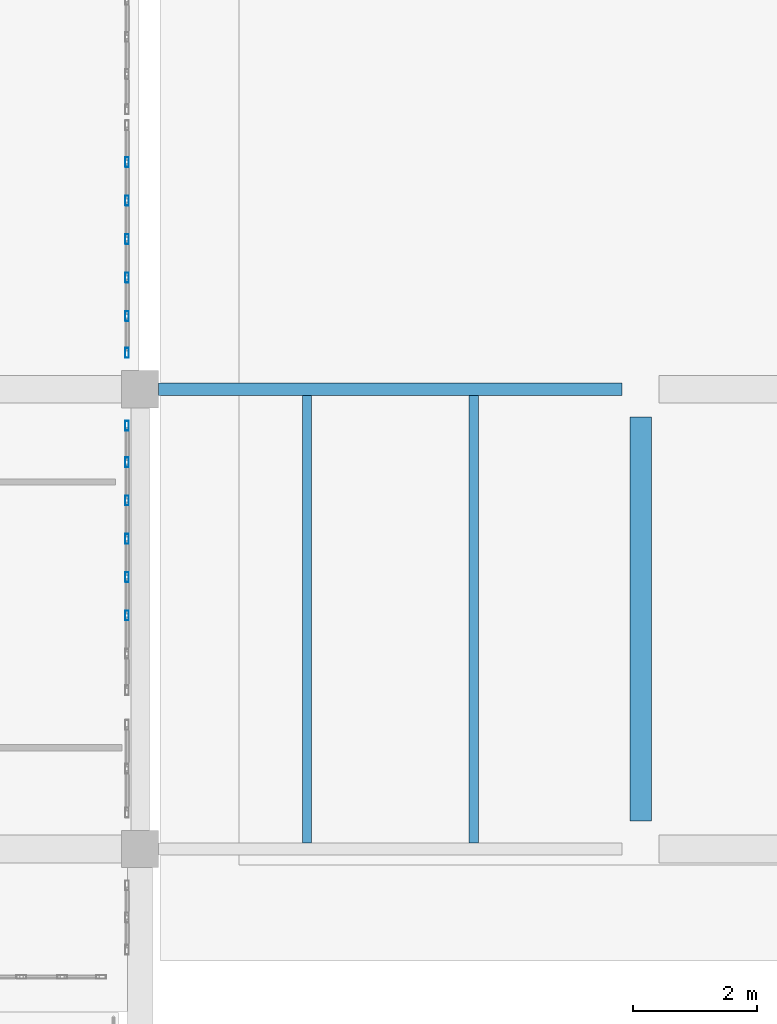
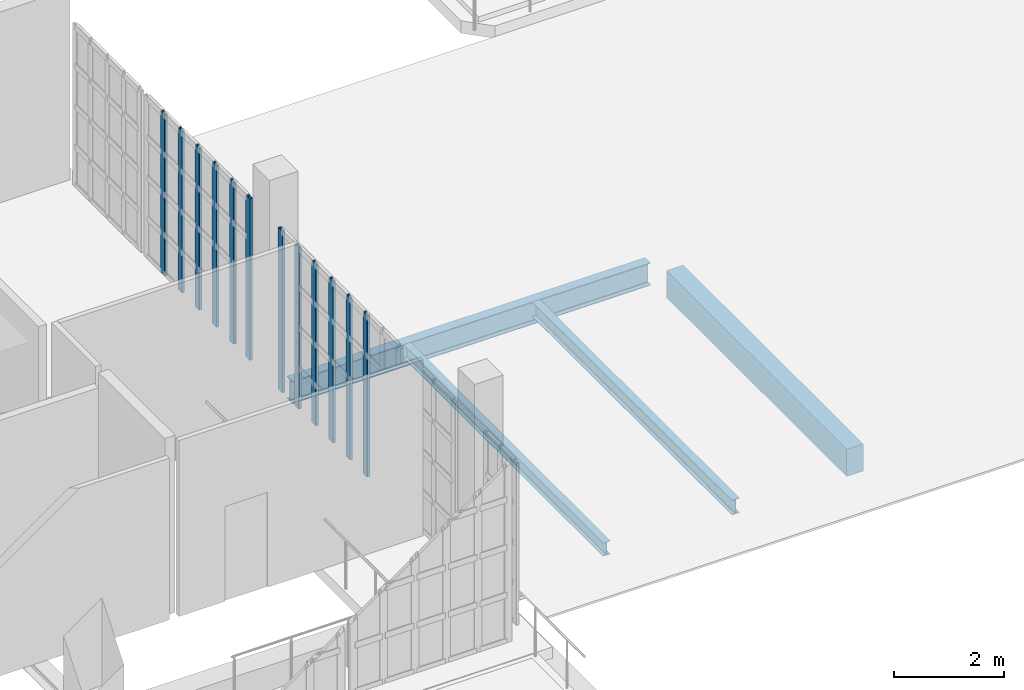
# One storey, part 16 of 56: 12 members, 4 beams, 2 elements without a shape of their own.
"""IFC4 building model written with IfcOpenShell, lengths in metres."""

from ifc_helpers import new_model, si_unit, direction, frame, origin, origin_2d, place, context, subcontext, project, spatial, rectangle, hollow_rectangle, i_section, extrude, material, material_profile, profile_set, type_object, element, aggregate, save


model = new_model("IFC4")

# Units and contexts
model_context = context("Model", 3, precision=1e-05, world=origin(), true_north=direction((0.0, 1.0)))
body_context = subcontext(model_context, "Body", "Model", "MODEL_VIEW")
ifc_project = project(units=[si_unit("LENGTHUNIT", "METRE"), si_unit("AREAUNIT", "SQUARE_METRE"), si_unit("VOLUMEUNIT", "CUBIC_METRE"), si_unit("PLANEANGLEUNIT", "RADIAN"), si_unit("MASSUNIT", "GRAM", prefix="KILO")], contexts=[model_context])

# Site, building, storey
site_placement = place(None, origin())
site = spatial("IfcSite", under=ifc_project, at=site_placement, CompositionType="ELEMENT")
building_placement = place(site_placement, origin())
building = spatial("IfcBuilding", under=site, at=building_placement, Name="Kaelora Sail Theatre", CompositionType="ELEMENT")
storey_placement = place(building_placement, frame((0.0, 0.0, 14.699951171875)))
storey = spatial("IfcBuildingStorey", under=building, at=storey_placement, Name="L03", CompositionType="ELEMENT", Elevation=14.699951171875)

# Curtain wall, members
ifc_material_1 = material(Name="Anodised aluminium and solar-control low-E IGU", Category="aluminium")
curtain_wall_type = type_object("IfcCurtainWallType", Name="ARC-CW-CW-BRG", PredefinedType="NOTDEFINED", material=ifc_material_1)
curtain_wall_1_placement = place(storey_placement, origin())
curtain_wall_1 = element("IfcCurtainWall", 1, at=curtain_wall_1_placement, inside=storey, type_object=curtain_wall_type, Name="Glazed Colonnade/Courtyard Curtain Wall FC1-STEP-E-L03-02", PredefinedType="NOTDEFINED")
ifc_material_2 = material(Name="Anodised aluminium 6063-T6", Category="aluminium")
ifc_material_profile_1 = material_profile(ifc_material_2, hollow_rectangle(XDim=0.06005859375, YDim=0.159912109375, WallThickness=0.00390625, InnerFilletRadius=0.00390625, OuterFilletRadius=0.008056640625, at=origin_2d()), Name="ALU-MULL 60x160x4")
ifc_profile_set_1 = profile_set([ifc_material_profile_1], Name="Anodised aluminium 6063-T6")
member_type = type_object("IfcMemberType", Name="ARC-MEM-ML-160", PredefinedType="MULLION", material=ifc_profile_set_1)
member_1_placement = place(storey_placement, frame((90.389892578125, 72.239990234375, 0.0), z_axis=(0.0, 0.0, 1.0), x_axis=(-1.0, 0.0, 0.0)))
member_1 = element("IfcMember", 2, at=member_1_placement, type_object=member_type, Name="CW-BRG mullion 3", PredefinedType="MULLION", context=body_context, shape_type="SweptSolid", body=[
    extrude(hollow_rectangle(XDim=0.06005859375, YDim=0.159912109375, WallThickness=0.00390625, InnerFilletRadius=0.00390625, OuterFilletRadius=0.008056640625, at=origin_2d()), origin(), (0.0, 0.0, 1.0), 3.5771484375),
])
member_2_placement = place(storey_placement, frame((90.389892578125, 72.860107421875, 0.0), z_axis=(0.0, 0.0, 1.0), x_axis=(-1.0, 0.0, 0.0)))
member_2 = element("IfcMember", 3, at=member_2_placement, type_object=member_type, Name="CW-BRG mullion 4", PredefinedType="MULLION", context=body_context, shape_type="SweptSolid", body=[
    extrude(hollow_rectangle(XDim=0.06005859375, YDim=0.159912109375, WallThickness=0.00390625, InnerFilletRadius=0.00390625, OuterFilletRadius=0.008056640625, at=origin_2d()), origin(), (0.0, 0.0, 1.0), 3.5771484375),
])
member_3_placement = place(storey_placement, frame((90.389892578125, 73.47998046875, 0.0), z_axis=(0.0, 0.0, 1.0), x_axis=(-1.0, 0.0, 0.0)))
member_3 = element("IfcMember", 4, at=member_3_placement, type_object=member_type, Name="CW-BRG mullion 5", PredefinedType="MULLION", context=body_context, shape_type="SweptSolid", body=[
    extrude(hollow_rectangle(XDim=0.06005859375, YDim=0.159912109375, WallThickness=0.00390625, InnerFilletRadius=0.00390625, OuterFilletRadius=0.008056640625, at=origin_2d()), origin(), (0.0, 0.0, 1.0), 3.5771484375),
])
member_4_placement = place(storey_placement, frame((90.389892578125, 74.10009765625, 0.0), z_axis=(0.0, 0.0, 1.0), x_axis=(-1.0, 0.0, 0.0)))
member_4 = element("IfcMember", 5, at=member_4_placement, type_object=member_type, Name="CW-BRG mullion 6", PredefinedType="MULLION", context=body_context, shape_type="SweptSolid", body=[
    extrude(hollow_rectangle(XDim=0.06005859375, YDim=0.159912109375, WallThickness=0.00390625, InnerFilletRadius=0.00390625, OuterFilletRadius=0.008056640625, at=origin_2d()), origin(), (0.0, 0.0, 1.0), 3.5771484375),
])
member_5_placement = place(storey_placement, frame((90.389892578125, 74.719970703125, 0.0), z_axis=(0.0, 0.0, 1.0), x_axis=(-1.0, 0.0, 0.0)))
member_5 = element("IfcMember", 6, at=member_5_placement, type_object=member_type, Name="CW-BRG mullion 7", PredefinedType="MULLION", context=body_context, shape_type="SweptSolid", body=[
    extrude(hollow_rectangle(XDim=0.06005859375, YDim=0.159912109375, WallThickness=0.00390625, InnerFilletRadius=0.00390625, OuterFilletRadius=0.008056640625, at=origin_2d()), origin(), (0.0, 0.0, 1.0), 3.5771484375),
])
member_6_placement = place(storey_placement, frame((90.389892578125, 75.31005859375, 0.0), z_axis=(0.0, 0.0, 1.0), x_axis=(-1.0, 0.0, 0.0)))
member_6 = element("IfcMember", 7, at=member_6_placement, type_object=member_type, Name="CW-BRG mullion 8", PredefinedType="MULLION", context=body_context, shape_type="SweptSolid", body=[
    extrude(hollow_rectangle(XDim=0.06005859375, YDim=0.159912109375, WallThickness=0.00390625, InnerFilletRadius=0.00390625, OuterFilletRadius=0.008056640625, at=origin_2d()), origin(), (0.0, 0.0, 1.0), 3.5771484375),
])
aggregate(curtain_wall_1, [member_1, member_2, member_3, member_4, member_5, member_6])

curtain_wall_2_placement = place(storey_placement, origin())
curtain_wall_2 = element("IfcCurtainWall", 8, at=curtain_wall_2_placement, inside=storey, type_object=curtain_wall_type, Name="Glazed Colonnade/Courtyard Curtain Wall FC1-STEP-E-L03-03", PredefinedType="NOTDEFINED")
member_7_placement = place(storey_placement, frame((90.389892578125, 76.489990234375, 0.0), z_axis=(0.0, 0.0, 1.0), x_axis=(-1.0, 0.0, 0.0)))
member_7 = element("IfcMember", 9, at=member_7_placement, type_object=member_type, Name="CW-BRG mullion 1", PredefinedType="MULLION", context=body_context, shape_type="SweptSolid", body=[
    extrude(hollow_rectangle(XDim=0.06005859375, YDim=0.159912109375, WallThickness=0.00390625, InnerFilletRadius=0.00390625, OuterFilletRadius=0.008056640625, at=origin_2d()), origin(), (0.0, 0.0, 1.0), 3.5771484375),
])
member_8_placement = place(storey_placement, frame((90.389892578125, 77.083251953125, 0.0), z_axis=(0.0, 0.0, 1.0), x_axis=(-1.0, 0.0, 0.0)))
member_8 = element("IfcMember", 10, at=member_8_placement, type_object=member_type, Name="CW-BRG mullion 2", PredefinedType="MULLION", context=body_context, shape_type="SweptSolid", body=[
    extrude(hollow_rectangle(XDim=0.06005859375, YDim=0.159912109375, WallThickness=0.00390625, InnerFilletRadius=0.00390625, OuterFilletRadius=0.008056640625, at=origin_2d()), origin(), (0.0, 0.0, 1.0), 3.5771484375),
])
member_9_placement = place(storey_placement, frame((90.389892578125, 77.706787109375, 0.0), z_axis=(0.0, 0.0, 1.0), x_axis=(-1.0, 0.0, 0.0)))
member_9 = element("IfcMember", 11, at=member_9_placement, type_object=member_type, Name="CW-BRG mullion 3", PredefinedType="MULLION", context=body_context, shape_type="SweptSolid", body=[
    extrude(hollow_rectangle(XDim=0.06005859375, YDim=0.159912109375, WallThickness=0.00390625, InnerFilletRadius=0.00390625, OuterFilletRadius=0.008056640625, at=origin_2d()), origin(), (0.0, 0.0, 1.0), 3.5771484375),
])
member_10_placement = place(storey_placement, frame((90.389892578125, 78.330078125, 0.0), z_axis=(0.0, 0.0, 1.0), x_axis=(-1.0, 0.0, 0.0)))
member_10 = element("IfcMember", 12, at=member_10_placement, type_object=member_type, Name="CW-BRG mullion 4", PredefinedType="MULLION", context=body_context, shape_type="SweptSolid", body=[
    extrude(hollow_rectangle(XDim=0.06005859375, YDim=0.159912109375, WallThickness=0.00390625, InnerFilletRadius=0.00390625, OuterFilletRadius=0.008056640625, at=origin_2d()), origin(), (0.0, 0.0, 1.0), 3.5771484375),
])
member_11_placement = place(storey_placement, frame((90.389892578125, 78.953369140625, 0.0), z_axis=(0.0, 0.0, 1.0), x_axis=(-1.0, 0.0, 0.0)))
member_11 = element("IfcMember", 13, at=member_11_placement, type_object=member_type, Name="CW-BRG mullion 5", PredefinedType="MULLION", context=body_context, shape_type="SweptSolid", body=[
    extrude(hollow_rectangle(XDim=0.06005859375, YDim=0.159912109375, WallThickness=0.00390625, InnerFilletRadius=0.00390625, OuterFilletRadius=0.008056640625, at=origin_2d()), origin(), (0.0, 0.0, 1.0), 3.5771484375),
])
member_12_placement = place(storey_placement, frame((90.389892578125, 79.57666015625, 0.0), z_axis=(0.0, 0.0, 1.0), x_axis=(-1.0, 0.0, 0.0)))
member_12 = element("IfcMember", 14, at=member_12_placement, type_object=member_type, Name="CW-BRG mullion 6", PredefinedType="MULLION", context=body_context, shape_type="SweptSolid", body=[
    extrude(hollow_rectangle(XDim=0.06005859375, YDim=0.159912109375, WallThickness=0.00390625, InnerFilletRadius=0.00390625, OuterFilletRadius=0.008056640625, at=origin_2d()), origin(), (0.0, 0.0, 1.0), 3.5771484375),
])
aggregate(curtain_wall_2, [member_7, member_8, member_9, member_10, member_11, member_12])

# Beams
ifc_material_3 = material(Name="Steel S355", Category="steel")
ifc_material_profile_2 = material_profile(ifc_material_3, i_section(OverallWidth=0.199951171875, OverallDepth=0.5, WebThickness=0.01025390625, FlangeThickness=0.01611328125, FilletRadius=0.02099609375, at=origin_2d()), Name="IPE 500")
ifc_profile_set_2 = profile_set([ifc_material_profile_2], Name="Steel S355")
beam_type_1 = type_object("IfcBeamType", Name="STR-BM-BM-IPE500", PredefinedType="BEAM", material=ifc_profile_set_2)
beam_1_placement = place(storey_placement, frame((90.89990234375, 75.89990234375, -0.52490234375), z_axis=(1.0, 0.0, 0.0), x_axis=(0.0, 1.0, 0.0)))
element("IfcBeam", 15, at=beam_1_placement, inside=storey, type_object=beam_type_1, Name="Primary beam K 12-13 (L03)", PredefinedType="BEAM", context=body_context, shape_type="SweptSolid", body=[
    extrude(i_section(OverallWidth=0.199951171875, OverallDepth=0.5, WebThickness=0.01025390625, FlangeThickness=0.01611328125, FilletRadius=0.02099609375, at=origin_2d()), origin(), (0.0, 0.0, 1.0), 7.5),
])
ifc_material_4 = material(Name="Concrete C40/50", Category="concrete")
ifc_material_profile_3 = material_profile(ifc_material_4, rectangle(XDim=0.35009765625, YDim=0.60009765625, at=origin_2d()), Name="RC-BM 350x600")
ifc_profile_set_3 = profile_set([ifc_material_profile_3], Name="Concrete C40/50")
beam_type_2 = type_object("IfcBeamType", Name="STR-BM-BM-RC3560", PredefinedType="BEAM", material=ifc_profile_set_3)
beam_2_placement = place(storey_placement, frame((98.699951171875, 68.909912109375, -0.574951171875), z_axis=(0.0, 1.0, 0.0), x_axis=(-1.0, 0.0, 0.0)))
element("IfcBeam", 16, at=beam_2_placement, inside=storey, type_object=beam_type_2, Name="Primary beam 13 J-K (L03)", PredefinedType="BEAM", context=body_context, shape_type="SweptSolid", body=[
    extrude(rectangle(XDim=0.35009765625, YDim=0.60009765625, at=origin_2d()), origin(), (0.0, 0.0, 1.0), 6.5400390625),
])
ifc_material_5 = material(Name="Steel S355", Category="steel")
ifc_material_profile_4 = material_profile(ifc_material_5, i_section(OverallWidth=0.14990234375, OverallDepth=0.300048828125, WebThickness=0.007080078125, FlangeThickness=0.0107421875, FilletRadius=0.014892578125, at=origin_2d()), Name="IPE 300")
ifc_profile_set_4 = profile_set([ifc_material_profile_4], Name="Steel S355")
beam_type_3 = type_object("IfcBeamType", Name="STR-BM-JS-IPE300", PredefinedType="JOIST", material=ifc_profile_set_4)
beam_3_placement = place(storey_placement, frame((93.300048828125, 68.56005859375, -0.425048828125), z_axis=(0.0, 1.0, 0.0), x_axis=(-1.0, 0.0, 0.0)))
element("IfcBeam", 17, at=beam_3_placement, inside=storey, type_object=beam_type_3, Name="Secondary floor joist 12/J-1 (L03)", PredefinedType="JOIST", context=body_context, shape_type="SweptSolid", body=[
    extrude(i_section(OverallWidth=0.14990234375, OverallDepth=0.300048828125, WebThickness=0.007080078125, FlangeThickness=0.0107421875, FilletRadius=0.014892578125, at=origin_2d()), origin(), (0.0, 0.0, 1.0), 7.239990234375),
])
ifc_material_6 = material(Name="Steel S355", Category="steel")
ifc_material_profile_5 = material_profile(ifc_material_6, i_section(OverallWidth=0.159912109375, OverallDepth=0.330078125, WebThickness=0.007568359375, FlangeThickness=0.011474609375, FilletRadius=0.01806640625, at=origin_2d()), Name="IPE 330")
ifc_profile_set_5 = profile_set([ifc_material_profile_5], Name="Steel S355")
beam_type_4 = type_object("IfcBeamType", Name="STR-BM-JS-IPE330", PredefinedType="JOIST", material=ifc_profile_set_5)
beam_4_placement = place(storey_placement, frame((96.0, 68.56005859375, -0.43994140625), z_axis=(0.0, 1.0, 0.0), x_axis=(-1.0, 0.0, 0.0)))
element("IfcBeam", 18, at=beam_4_placement, inside=storey, type_object=beam_type_4, Name="Secondary floor joist 12/J-2 (L03)", PredefinedType="JOIST", context=body_context, shape_type="SweptSolid", body=[
    extrude(i_section(OverallWidth=0.159912109375, OverallDepth=0.330078125, WebThickness=0.007568359375, FlangeThickness=0.011474609375, FilletRadius=0.01806640625, at=origin_2d()), origin(), (0.0, 0.0, 1.0), 7.239990234375),
])

save(model, "model.ifc")
